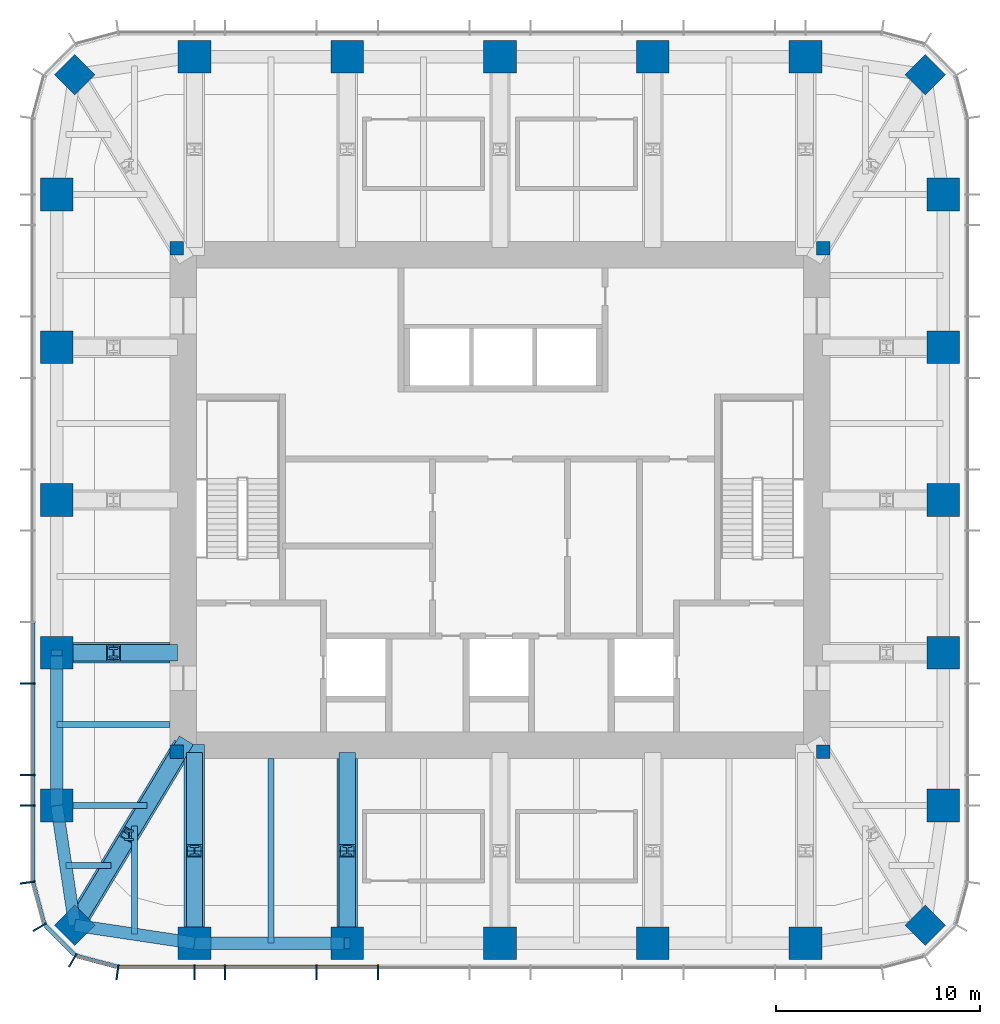
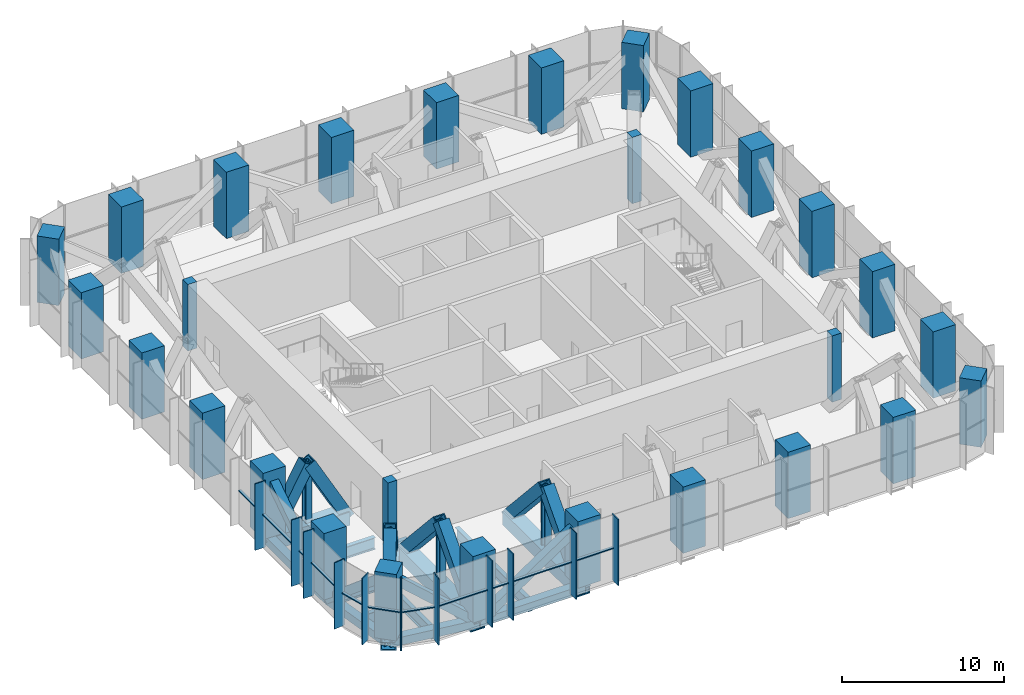
# One storey, part 1 of 9: 46 members, 28 columns, 5 beams, 3 elements without a shape of their own.
"""IFC4 building model written with IfcOpenShell, lengths in metres."""

from ifc_helpers import new_model, si_unit, direction, frame, origin, origin_2d, place, context, subcontext, project, spatial, rectangle, hollow_rectangle, i_section, extrude, material, material_profile, profile_set, type_object, element, aggregate, save


model = new_model("IFC4")

# Units and contexts
model_context = context("Model", 3, precision=1e-05, world=origin(), true_north=direction((0.0, 1.0)))
body_context = subcontext(model_context, "Body", "Model", "MODEL_VIEW")
ifc_project = project(units=[si_unit("LENGTHUNIT", "METRE"), si_unit("AREAUNIT", "SQUARE_METRE"), si_unit("VOLUMEUNIT", "CUBIC_METRE"), si_unit("PLANEANGLEUNIT", "RADIAN"), si_unit("MASSUNIT", "GRAM", prefix="KILO")], contexts=[model_context])

# Site, building, storey
site_placement = place(None, origin())
site = spatial("IfcSite", under=ifc_project, at=site_placement, CompositionType="ELEMENT")
building_placement = place(site_placement, origin())
building = spatial("IfcBuilding", under=site, at=building_placement, Name="Khuree Lantern Residences", CompositionType="ELEMENT")
storey_placement = place(building_placement, frame((0.0, 0.0, 353.25)))
storey = spatial("IfcBuildingStorey", under=building, at=storey_placement, Name="L89", CompositionType="ELEMENT", Elevation=353.25)

# Columns
ifc_material_1 = material(Name="Concrete C70/85", Category="concrete")
ifc_material_profile_1 = material_profile(ifc_material_1, rectangle(XDim=1.39990234375, YDim=1.39990234375, at=origin_2d()), Name="RC 1400X1400")
ifc_profile_set_1 = profile_set([ifc_material_profile_1], Name="Concrete C70/85")
column_type_1 = type_object("IfcColumnType", Name="CC1400 PERIMETER CORNER COLUMN RC 1400X1400", PredefinedType="COLUMN", material=ifc_profile_set_1)
for number, where, z_axis, x_axis, name in (
    (1, (20.8212890625, 20.8212890625, 0.0), (0.0, 0.0, 1.0), (0.707106781187, -0.707106781187, 0.0), "Perimeter column NE"),
    (2, (20.8212890625, -20.8212890625, 0.0), (0.0, 0.0, 1.0), (0.707106781187, 0.707106781187, 0.0), "Perimeter column SE"),
    (3, (-20.8212890625, -20.8212890625, 0.0), (0.0, 0.0, 1.0), (0.707106781187, -0.707106781187, 0.0), "Perimeter column SW"),
    (4, (-20.8212890625, 20.8212890625, 0.0), (0.0, 0.0, 1.0), (0.707106781187, 0.707106781187, 0.0), "Perimeter column NW"),
):
    element("IfcColumn", number, at=place(storey_placement, frame(where, z_axis=z_axis, x_axis=x_axis)), inside=storey, type_object=column_type_1, Name=name, PredefinedType="COLUMN", context=body_context, shape_type="SweptSolid", body=[
        extrude(rectangle(XDim=1.39990234375, YDim=1.39990234375, at=origin_2d()), origin(), (0.0, 0.0, 1.0), 5.0),
    ])
ifc_material_2 = material(Name="Concrete C50/60", Category="concrete")
ifc_material_profile_2 = material_profile(ifc_material_2, rectangle(XDim=0.64990234375, YDim=0.64990234375, at=origin_2d()), Name="RC 650X650")
ifc_profile_set_2 = profile_set([ifc_material_profile_2], Name="Concrete C50/60")
column_type_2 = type_object("IfcColumnType", Name="CP650-C50 CORE CORNER PIER C50 RC 650X650", PredefinedType="COLUMN", material=ifc_profile_set_2)
for number, where, z_axis, x_axis, name in (
    (5, (15.824951171875, 12.324951171875, -0.300048828125), (0.0, 0.0, 1.0), (1.0, 0.0, 0.0), "Core corner pier NE"),
    (6, (-15.824951171875, 12.324951171875, -0.300048828125), (0.0, 0.0, 1.0), (1.0, 0.0, 0.0), "Core corner pier NW"),
    (7, (-15.824951171875, -12.324951171875, -0.300048828125), (0.0, 0.0, 1.0), (1.0, 0.0, 0.0), "Core corner pier SW"),
    (8, (15.824951171875, -12.324951171875, -0.300048828125), (0.0, 0.0, 1.0), (1.0, 0.0, 0.0), "Core corner pier SE"),
):
    element("IfcColumn", number, at=place(storey_placement, frame(where, z_axis=z_axis, x_axis=x_axis)), inside=storey, type_object=column_type_2, Name=name, PredefinedType="COLUMN", context=body_context, shape_type="SweptSolid", body=[
        extrude(rectangle(XDim=0.64990234375, YDim=0.64990234375, at=origin_2d()), origin(), (0.0, 0.0, 1.0), 5.0),
    ])
ifc_material_profile_3 = material_profile(ifc_material_1, rectangle(XDim=1.60009765625, YDim=1.60009765625, at=origin_2d()), Name="RC 1600X1600")
ifc_profile_set_3 = profile_set([ifc_material_profile_3], Name="Concrete C70/85")
column_type_3 = type_object("IfcColumnType", Name="PC5 PERIMETER COLUMN RC 1600X1600", PredefinedType="COLUMN", material=ifc_profile_set_3)
for number, where, z_axis, x_axis, name in (
    (9, (-14.9599609375, 21.699951171875, 0.0), (0.0, 0.0, 1.0), (1.0, 0.0, 0.0), "Perimeter column N1"),
    (10, (-7.47998046875, 21.699951171875, 0.0), (0.0, 0.0, 1.0), (1.0, 0.0, 0.0), "Perimeter column N2"),
    (11, (0.0, 21.699951171875, 0.0), (0.0, 0.0, 1.0), (1.0, 0.0, 0.0), "Perimeter column N3"),
    (12, (7.47998046875, 21.699951171875, 0.0), (0.0, 0.0, 1.0), (1.0, 0.0, 0.0), "Perimeter column N4"),
    (13, (14.9599609375, 21.699951171875, 0.0), (0.0, 0.0, 1.0), (1.0, 0.0, 0.0), "Perimeter column N5"),
    (14, (21.699951171875, 14.9599609375, 0.0), (0.0, 0.0, 1.0), (0.0, 1.0, 0.0), "Perimeter column E1"),
    (15, (21.699951171875, 7.47998046875, 0.0), (0.0, 0.0, 1.0), (0.0, 1.0, 0.0), "Perimeter column E2"),
    (16, (21.699951171875, 0.0, 0.0), (0.0, 0.0, 1.0), (0.0, 1.0, 0.0), "Perimeter column E3"),
    (17, (21.699951171875, -7.47998046875, 0.0), (0.0, 0.0, 1.0), (0.0, 1.0, 0.0), "Perimeter column E4"),
    (18, (21.699951171875, -14.9599609375, 0.0), (0.0, 0.0, 1.0), (0.0, 1.0, 0.0), "Perimeter column E5"),
    (19, (14.9599609375, -21.699951171875, 0.0), (0.0, 0.0, 1.0), (1.0, 0.0, 0.0), "Perimeter column S1"),
    (20, (7.47998046875, -21.699951171875, 0.0), (0.0, 0.0, 1.0), (1.0, 0.0, 0.0), "Perimeter column S2"),
    (21, (0.0, -21.699951171875, 0.0), (0.0, 0.0, 1.0), (1.0, 0.0, 0.0), "Perimeter column S3"),
    (22, (-7.47998046875, -21.699951171875, 0.0), (0.0, 0.0, 1.0), (1.0, 0.0, 0.0), "Perimeter column S4"),
    (23, (-14.9599609375, -21.699951171875, 0.0), (0.0, 0.0, 1.0), (1.0, 0.0, 0.0), "Perimeter column S5"),
    (24, (-21.699951171875, -14.9599609375, 0.0), (0.0, 0.0, 1.0), (0.0, 1.0, 0.0), "Perimeter column W1"),
    (25, (-21.699951171875, -7.47998046875, 0.0), (0.0, 0.0, 1.0), (0.0, 1.0, 0.0), "Perimeter column W2"),
    (26, (-21.699951171875, 0.0, 0.0), (0.0, 0.0, 1.0), (0.0, 1.0, 0.0), "Perimeter column W3"),
    (27, (-21.699951171875, 7.47998046875, 0.0), (0.0, 0.0, 1.0), (0.0, 1.0, 0.0), "Perimeter column W4"),
    (28, (-21.699951171875, 14.9599609375, 0.0), (0.0, 0.0, 1.0), (0.0, 1.0, 0.0), "Perimeter column W5"),
):
    element("IfcColumn", number, at=place(storey_placement, frame(where, z_axis=z_axis, x_axis=x_axis)), inside=storey, type_object=column_type_3, Name=name, PredefinedType="COLUMN", context=body_context, shape_type="SweptSolid", body=[
        extrude(rectangle(XDim=1.60009765625, YDim=1.60009765625, at=origin_2d()), origin(), (0.0, 0.0, 1.0), 5.0),
    ])

# Beams
ifc_material_3 = material(Name="Steel S355", Category="steel")
ifc_material_profile_4 = material_profile(ifc_material_3, i_section(OverallWidth=0.300048828125, OverallDepth=0.889892578125, WebThickness=0.01611328125, FlangeThickness=0.030029296875, FilletRadius=0.030029296875, at=origin_2d()), Name="HE 900 A")
ifc_profile_set_4 = profile_set([ifc_material_profile_4], Name="Steel S355")
beam_type_1 = type_object("IfcBeamType", Name="B-89 SECONDARY BEAM HE 900 A", PredefinedType="BEAM", material=ifc_profile_set_4)
beam_1_placement = place(storey_placement, frame((-11.219970703125, -21.699951171875, -0.7451171875), z_axis=(0.0, 1.0, 0.0), x_axis=(-1.0, 0.0, 0.0)))
element("IfcBeam", 29, at=beam_1_placement, inside=storey, type_object=beam_type_1, Name="Secondary beam S5", PredefinedType="BEAM", context=body_context, shape_type="SweptSolid", body=[
    extrude(i_section(OverallWidth=0.300048828125, OverallDepth=0.889892578125, WebThickness=0.01611328125, FlangeThickness=0.030029296875, FilletRadius=0.030029296875, at=origin_2d()), origin(), (0.0, 0.0, 1.0), 9.050048828125),
])
beam_2_placement = place(storey_placement, frame((-17.890625, -21.2607421875, -0.7451171875), z_axis=(0.0, 1.0, 0.0), x_axis=(-1.0, 0.0, 0.0)))
element("IfcBeam", 30, at=beam_2_placement, inside=storey, type_object=beam_type_1, Name="Secondary beam S6", PredefinedType="BEAM", context=body_context, shape_type="SweptSolid", body=[
    extrude(i_section(OverallWidth=0.300048828125, OverallDepth=0.889892578125, WebThickness=0.01611328125, FlangeThickness=0.030029296875, FilletRadius=0.030029296875, at=origin_2d()), origin(), (0.0, 0.0, 1.0), 5.297607421875),
])
beam_3_placement = place(storey_placement, frame((-21.2607421875, -17.890625, -0.7451171875), z_axis=(1.0, 0.0, 0.0), x_axis=(0.0, 1.0, 0.0)))
element("IfcBeam", 31, at=beam_3_placement, inside=storey, type_object=beam_type_1, Name="Secondary beam W1", PredefinedType="BEAM", context=body_context, shape_type="SweptSolid", body=[
    extrude(i_section(OverallWidth=0.300048828125, OverallDepth=0.889892578125, WebThickness=0.01611328125, FlangeThickness=0.030029296875, FilletRadius=0.030029296875, at=origin_2d()), origin(), (0.0, 0.0, 1.0), 2.207275390625),
])
beam_4_placement = place(storey_placement, frame((-21.699951171875, -11.0, -0.7451171875), z_axis=(1.0, 0.0, 0.0), x_axis=(0.0, 1.0, 0.0)))
element("IfcBeam", 32, at=beam_4_placement, inside=storey, type_object=beam_type_1, Name="Secondary beam W2", PredefinedType="BEAM", context=body_context, shape_type="SweptSolid", body=[
    extrude(i_section(OverallWidth=0.300048828125, OverallDepth=0.889892578125, WebThickness=0.01611328125, FlangeThickness=0.030029296875, FilletRadius=0.030029296875, at=origin_2d()), origin(), (0.0, 0.0, 1.0), 5.550048828125),
])

# Members
ifc_material_profile_5 = material_profile(ifc_material_3, hollow_rectangle(XDim=0.60009765625, YDim=0.60009765625, WallThickness=0.050048828125, at=origin_2d()), Name="WELDED BOX 600X600X50")
ifc_profile_set_5 = profile_set([ifc_material_profile_5], Name="Steel S355")
member_type_1 = type_object("IfcMemberType", Name="BD-89 BELT TRUSS DIAGONAL WELDED BOX 600X600X50", PredefinedType="BRACE", material=ifc_profile_set_5)
member_1_placement = place(storey_placement, frame((-7.47998046875, -21.699951171875, 4.39990234375), z_axis=(-0.831365021271, 0.0, -0.555726732673), x_axis=(0.0, -1.0, 0.0)))
element("IfcMember", 33, at=member_1_placement, inside=storey, type_object=member_type_1, Name="Belt truss diagonal S5", PredefinedType="BRACE", context=body_context, shape_type="SweptSolid", body=[
    extrude(hollow_rectangle(XDim=0.60009765625, YDim=0.60009765625, WallThickness=0.050048828125, at=origin_2d()), origin(), (0.0, 0.0, 1.0), 8.997314453125),
])
for number, where, z_axis, x_axis, name in (
    (34, (-14.9599609375, -21.699951171875, -0.60009765625), (-0.755893293294, 0.113314726865, 0.644814005609), (-0.148251822985, -0.988949643299, 0.0), "Belt truss diagonal S6"),
    (35, (-20.8212890625, -20.8212890625, 4.39990234375), (-0.113314726865, 0.755893293294, -0.644814005609), (-0.988949643299, -0.148251822985, 0.0), "Belt truss diagonal W1"),
):
    element("IfcMember", number, at=place(storey_placement, frame(where, z_axis=z_axis, x_axis=x_axis)), inside=storey, type_object=member_type_1, Name=name, PredefinedType="BRACE", context=body_context, shape_type="SweptSolid", body=[
        extrude(hollow_rectangle(XDim=0.60009765625, YDim=0.60009765625, WallThickness=0.050048828125, at=origin_2d()), origin(), (0.0, 0.0, 1.0), 7.754150390625),
    ])
member_2_placement = place(storey_placement, frame((-21.699951171875, -14.9599609375, -0.60009765625), z_axis=(0.0, 0.831365021271, 0.555726732673), x_axis=(-1.0, 0.0, 0.0)))
element("IfcMember", 36, at=member_2_placement, inside=storey, type_object=member_type_1, Name="Belt truss diagonal W2", PredefinedType="BRACE", context=body_context, shape_type="SweptSolid", body=[
    extrude(hollow_rectangle(XDim=0.60009765625, YDim=0.60009765625, WallThickness=0.050048828125, at=origin_2d()), origin(), (0.0, 0.0, 1.0), 8.997314453125),
])
ifc_material_profile_6 = material_profile(ifc_material_3, hollow_rectangle(XDim=0.60009765625, YDim=0.60009765625, WallThickness=0.050048828125, at=origin_2d()), Name="WELDED BOX 600X600X50")
ifc_profile_set_6 = profile_set([ifc_material_profile_6], Name="Steel S355")
member_type_2 = type_object("IfcMemberType", Name="BT-89 BELT TRUSS CHORD WELDED BOX 600X600X50", PredefinedType="CHORD", material=ifc_profile_set_6)
member_3_placement = place(storey_placement, frame((-7.47998046875, -21.699951171875, -0.60009765625), z_axis=(-1.0, 0.0, 0.0), x_axis=(0.0, -1.0, 0.0)))
element("IfcMember", 37, at=member_3_placement, inside=storey, type_object=member_type_2, Name="Belt truss chord S5", PredefinedType="CHORD", context=body_context, shape_type="SweptSolid", body=[
    extrude(hollow_rectangle(XDim=0.60009765625, YDim=0.60009765625, WallThickness=0.050048828125, at=origin_2d()), origin(), (0.0, 0.0, 1.0), 7.47998046875),
])
for number, where, z_axis, x_axis, name in (
    (38, (-14.9599609375, -21.699951171875, -0.60009765625), (-0.988949643299, 0.148251822985, 0.0), (-0.148251822985, -0.988949643299, 0.0), "Belt truss chord S6"),
    (39, (-20.8212890625, -20.8212890625, -0.60009765625), (-0.148251822985, 0.988949643299, 0.0), (-0.988949643299, -0.148251822985, 0.0), "Belt truss chord W1"),
):
    element("IfcMember", number, at=place(storey_placement, frame(where, z_axis=z_axis, x_axis=x_axis)), inside=storey, type_object=member_type_2, Name=name, PredefinedType="CHORD", context=body_context, shape_type="SweptSolid", body=[
        extrude(hollow_rectangle(XDim=0.60009765625, YDim=0.60009765625, WallThickness=0.050048828125, at=origin_2d()), origin(), (0.0, 0.0, 1.0), 5.9267578125),
    ])
member_4_placement = place(storey_placement, frame((-21.699951171875, -14.9599609375, -0.60009765625), z_axis=(0.0, 1.0, 0.0), x_axis=(-1.0, 0.0, 0.0)))
element("IfcMember", 40, at=member_4_placement, inside=storey, type_object=member_type_2, Name="Belt truss chord W2", PredefinedType="CHORD", context=body_context, shape_type="SweptSolid", body=[
    extrude(hollow_rectangle(XDim=0.60009765625, YDim=0.60009765625, WallThickness=0.050048828125, at=origin_2d()), origin(), (0.0, 0.0, 1.0), 7.47998046875),
])

# Curtain wall, members
ifc_material_4 = material(Name="Bronze anodised aluminium", Category="aluminium")
curtain_wall_type = type_object("IfcCurtainWallType", Name="CW-L LANTERN CROWN CURTAIN WALL", PredefinedType="USERDEFINED", material=ifc_material_4)
curtain_wall_1_placement = place(storey_placement, origin())
curtain_wall_1 = element("IfcCurtainWall", 41, at=curtain_wall_1_placement, inside=storey, type_object=curtain_wall_type, Name="L89 WEST FACE CURTAIN WALL", ObjectType="Lantern curtain wall", PredefinedType="USERDEFINED")
ifc_material_profile_7 = material_profile(ifc_material_4, rectangle(XDim=0.074951171875, YDim=0.75, at=origin_2d()), Name="F4 75X750")
ifc_profile_set_7 = profile_set([ifc_material_profile_7], Name="Bronze anodised aluminium")
member_type_3 = type_object("IfcMemberType", Name="F4 BRONZE FIN MULLION LANTERN 75X750", PredefinedType="MULLION", material=ifc_profile_set_7)
member_5_placement = place(storey_placement, frame((-23.125, -8.97607421875, 0.0), z_axis=(0.0, 0.0, 1.0), x_axis=(0.0, -1.0, 0.0)))
member_5 = element("IfcMember", 42, at=member_5_placement, type_object=member_type_3, Name="L89 WEST FACE FIN MULLION 40", PredefinedType="MULLION", context=body_context, shape_type="SweptSolid", body=[
    extrude(rectangle(XDim=0.074951171875, YDim=0.75, at=origin_2d()), origin(), (0.0, 0.0, 1.0), 5.0),
])
member_6_placement = place(storey_placement, frame((-23.125, -13.464111328125, 0.0), z_axis=(0.0, 0.0, 1.0), x_axis=(0.0, -1.0, 0.0)))
member_6 = element("IfcMember", 43, at=member_6_placement, type_object=member_type_3, Name="L89 WEST FACE FIN MULLION 41", PredefinedType="MULLION", context=body_context, shape_type="SweptSolid", body=[
    extrude(rectangle(XDim=0.074951171875, YDim=0.75, at=origin_2d()), origin(), (0.0, 0.0, 1.0), 5.0),
])
member_7_placement = place(storey_placement, frame((-23.125, -14.9599609375, 0.0), z_axis=(0.0, 0.0, 1.0), x_axis=(0.0, -1.0, 0.0)))
member_7 = element("IfcMember", 44, at=member_7_placement, type_object=member_type_3, Name="L89 WEST FACE FIN MULLION 42", PredefinedType="MULLION", context=body_context, shape_type="SweptSolid", body=[
    extrude(rectangle(XDim=0.074951171875, YDim=0.75, at=origin_2d()), origin(), (0.0, 0.0, 1.0), 5.0),
])

curtain_wall_2_placement = place(storey_placement, origin())
curtain_wall_2 = element("IfcCurtainWall", 45, at=curtain_wall_2_placement, inside=storey, type_object=curtain_wall_type, Name="L89 SOUTH-WEST CORNER CURTAIN WALL", ObjectType="Lantern curtain wall", PredefinedType="USERDEFINED")
member_8_placement = place(storey_placement, frame((-23.12451171875, -18.7294921875, 0.0), z_axis=(0.0, 0.0, 1.0), x_axis=(0.130526125236, -0.991444870192, 0.0)))
member_8 = element("IfcMember", 46, at=member_8_placement, type_object=member_type_3, Name="L89 SOUTH-WEST CORNER FIN MULLION 43", PredefinedType="MULLION", context=body_context, shape_type="SweptSolid", body=[
    extrude(rectangle(XDim=0.074951171875, YDim=0.75, at=origin_2d()), origin(), (0.0, 0.0, 1.0), 5.0),
])
member_9_placement = place(storey_placement, frame((-22.5322265625, -20.91259765625, 0.0), z_axis=(0.0, 0.0, 1.0), x_axis=(0.49999994149, -0.866025437565, 0.0)))
member_9 = element("IfcMember", 47, at=member_9_placement, type_object=member_type_3, Name="L89 SOUTH-WEST CORNER FIN MULLION 44", PredefinedType="MULLION", context=body_context, shape_type="SweptSolid", body=[
    extrude(rectangle(XDim=0.074951171875, YDim=0.75, at=origin_2d()), origin(), (0.0, 0.0, 1.0), 5.0),
])
member_10_placement = place(storey_placement, frame((-20.91259765625, -22.5322265625, 0.0), z_axis=(0.0, 0.0, 1.0), x_axis=(0.866025437565, -0.49999994149, 0.0)))
member_10 = element("IfcMember", 48, at=member_10_placement, type_object=member_type_3, Name="L89 SOUTH-WEST CORNER FIN MULLION 45", PredefinedType="MULLION", context=body_context, shape_type="SweptSolid", body=[
    extrude(rectangle(XDim=0.074951171875, YDim=0.75, at=origin_2d()), origin(), (0.0, 0.0, 1.0), 5.0),
])

curtain_wall_3_placement = place(storey_placement, origin())
curtain_wall_3 = element("IfcCurtainWall", 49, at=curtain_wall_3_placement, inside=storey, type_object=curtain_wall_type, Name="L89 SOUTH FACE CURTAIN WALL", ObjectType="Lantern curtain wall", PredefinedType="USERDEFINED")
member_11_placement = place(storey_placement, frame((-18.7294921875, -23.12451171875, 0.0), z_axis=(0.0, 0.0, 1.0), x_axis=(0.991444870192, -0.130526125236, 0.0)))
member_11 = element("IfcMember", 50, at=member_11_placement, type_object=member_type_3, Name="L89 SOUTH FACE FIN MULLION 46", PredefinedType="MULLION", context=body_context, shape_type="SweptSolid", body=[
    extrude(rectangle(XDim=0.074951171875, YDim=0.75, at=origin_2d()), origin(), (0.0, 0.0, 1.0), 5.0),
])
member_12_placement = place(storey_placement, frame((-14.9599609375, -23.125, 0.0), z_axis=(0.0, 0.0, 1.0), x_axis=(1.0, 0.0, 0.0)))
member_12 = element("IfcMember", 51, at=member_12_placement, type_object=member_type_3, Name="L89 SOUTH FACE FIN MULLION 47", PredefinedType="MULLION", context=body_context, shape_type="SweptSolid", body=[
    extrude(rectangle(XDim=0.074951171875, YDim=0.75, at=origin_2d()), origin(), (0.0, 0.0, 1.0), 5.0),
])
member_13_placement = place(storey_placement, frame((-13.464111328125, -23.125, 0.0), z_axis=(0.0, 0.0, 1.0), x_axis=(1.0, 0.0, 0.0)))
member_13 = element("IfcMember", 52, at=member_13_placement, type_object=member_type_3, Name="L89 SOUTH FACE FIN MULLION 48", PredefinedType="MULLION", context=body_context, shape_type="SweptSolid", body=[
    extrude(rectangle(XDim=0.074951171875, YDim=0.75, at=origin_2d()), origin(), (0.0, 0.0, 1.0), 5.0),
])
member_14_placement = place(storey_placement, frame((-8.97607421875, -23.125, 0.0), z_axis=(0.0, 0.0, 1.0), x_axis=(1.0, 0.0, 0.0)))
member_14 = element("IfcMember", 53, at=member_14_placement, type_object=member_type_3, Name="L89 SOUTH FACE FIN MULLION 49", PredefinedType="MULLION", context=body_context, shape_type="SweptSolid", body=[
    extrude(rectangle(XDim=0.074951171875, YDim=0.75, at=origin_2d()), origin(), (0.0, 0.0, 1.0), 5.0),
])
member_15_placement = place(storey_placement, frame((-5.98388671875, -23.125, 0.0), z_axis=(0.0, 0.0, 1.0), x_axis=(1.0, 0.0, 0.0)))
member_15 = element("IfcMember", 54, at=member_15_placement, type_object=member_type_3, Name="L89 SOUTH FACE FIN MULLION 50", PredefinedType="MULLION", context=body_context, shape_type="SweptSolid", body=[
    extrude(rectangle(XDim=0.074951171875, YDim=0.75, at=origin_2d()), origin(), (0.0, 0.0, 1.0), 5.0),
])

# Beam
ifc_material_profile_8 = material_profile(ifc_material_3, i_section(OverallWidth=0.300048828125, OverallDepth=0.89990234375, WebThickness=0.0185546875, FlangeThickness=0.034912109375, FilletRadius=0.030029296875, at=origin_2d()), Name="HE 900 B")
ifc_profile_set_8 = profile_set([ifc_material_profile_8], Name="Steel S355")
beam_type_2 = type_object("IfcBeamType", Name="G-89 GIRDER HE 900 B", PredefinedType="BEAM", material=ifc_profile_set_8)
beam_5_placement = place(storey_placement, frame((-21.699951171875, -14.9599609375, -0.75), z_axis=(1.0, 0.0, 0.0), x_axis=(0.0, 1.0, 0.0)))
element("IfcBeam", 55, at=beam_5_placement, inside=storey, type_object=beam_type_2, Name="Girder W1", PredefinedType="BEAM", context=body_context, shape_type="SweptSolid", body=[
    extrude(i_section(OverallWidth=0.300048828125, OverallDepth=0.89990234375, WebThickness=0.0185546875, FlangeThickness=0.034912109375, FilletRadius=0.030029296875, at=origin_2d()), origin(), (0.0, 0.0, 1.0), 4.414306640625),
])

# Members
ifc_material_profile_9 = material_profile(ifc_material_3, hollow_rectangle(XDim=0.800048828125, YDim=0.800048828125, WallThickness=0.070068359375, at=origin_2d()), Name="WELDED BOX 800X800X70")
ifc_profile_set_9 = profile_set([ifc_material_profile_9], Name="Steel S355")
member_type_4 = type_object("IfcMemberType", Name="OD-89 OUTRIGGER TRUSS DIAGONAL WELDED BOX 800X800X70", PredefinedType="BRACE", material=ifc_profile_set_9)
for number, where, z_axis, x_axis, name in (
    (56, (-15.5, -12.0, -0.800048828125), (-0.370633716413, -0.614412618894, 0.696511149948), (0.856269347495, -0.516529577604, 0.0), "Outrigger diagonal SW core side"),
    (57, (-18.16064453125, -16.41064453125, 4.199951171875), (-0.370633716413, -0.614412618894, -0.696511149948), (0.856269347495, -0.516529577604, 0.0), "Outrigger diagonal SW column side"),
):
    element("IfcMember", number, at=place(storey_placement, frame(where, z_axis=z_axis, x_axis=x_axis)), inside=storey, type_object=member_type_4, Name=name, PredefinedType="BRACE", context=body_context, shape_type="SweptSolid", body=[
        extrude(hollow_rectangle(XDim=0.800048828125, YDim=0.800048828125, WallThickness=0.070068359375, at=origin_2d()), origin(), (0.0, 0.0, 1.0), 7.1787109375),
    ])
member_16_placement = place(storey_placement, frame((-7.47998046875, -12.64990234375, -0.800048828125), z_axis=(0.0, -0.671022331943, 0.741437138289), x_axis=(1.0, 0.0, 0.0)))
element("IfcMember", 58, at=member_16_placement, inside=storey, type_object=member_type_4, Name="Outrigger diagonal S4 core side", PredefinedType="BRACE", context=body_context, shape_type="SweptSolid", body=[
    extrude(hollow_rectangle(XDim=0.800048828125, YDim=0.800048828125, WallThickness=0.070068359375, at=origin_2d()), origin(), (0.0, 0.0, 1.0), 6.74365234375),
])
member_17_placement = place(storey_placement, frame((-7.47998046875, -17.175048828125, 4.199951171875), z_axis=(0.0, -0.671002429385, -0.7414551502), x_axis=(1.0, 0.0, 0.0)))
element("IfcMember", 59, at=member_17_placement, inside=storey, type_object=member_type_4, Name="Outrigger diagonal S4 column side", PredefinedType="BRACE", context=body_context, shape_type="SweptSolid", body=[
    extrude(hollow_rectangle(XDim=0.800048828125, YDim=0.800048828125, WallThickness=0.070068359375, at=origin_2d()), origin(), (0.0, 0.0, 1.0), 6.743408203125),
])
member_18_placement = place(storey_placement, frame((-14.9599609375, -12.64990234375, -0.800048828125), z_axis=(0.0, -0.671022331943, 0.741437138289), x_axis=(1.0, 0.0, 0.0)))
element("IfcMember", 60, at=member_18_placement, inside=storey, type_object=member_type_4, Name="Outrigger diagonal S5 core side", PredefinedType="BRACE", context=body_context, shape_type="SweptSolid", body=[
    extrude(hollow_rectangle(XDim=0.800048828125, YDim=0.800048828125, WallThickness=0.070068359375, at=origin_2d()), origin(), (0.0, 0.0, 1.0), 6.74365234375),
])
member_19_placement = place(storey_placement, frame((-14.9599609375, -17.175048828125, 4.199951171875), z_axis=(0.0, -0.671002429385, -0.7414551502), x_axis=(1.0, 0.0, 0.0)))
element("IfcMember", 61, at=member_19_placement, inside=storey, type_object=member_type_4, Name="Outrigger diagonal S5 column side", PredefinedType="BRACE", context=body_context, shape_type="SweptSolid", body=[
    extrude(hollow_rectangle(XDim=0.800048828125, YDim=0.800048828125, WallThickness=0.070068359375, at=origin_2d()), origin(), (0.0, 0.0, 1.0), 6.743408203125),
])
for number, where, z_axis, x_axis, name in (
    (62, (-16.14990234375, -7.47998046875, -0.800048828125), (-0.485291278827, 0.0, 0.874352545999), (0.0, -1.0, 0.0), "Outrigger diagonal W2 core side"),
    (63, (-18.925048828125, -7.47998046875, 4.199951171875), (-0.485258639343, 0.0, -0.874370661072), (0.0, -1.0, 0.0), "Outrigger diagonal W2 column side"),
):
    element("IfcMember", number, at=place(storey_placement, frame(where, z_axis=z_axis, x_axis=x_axis)), inside=storey, type_object=member_type_4, Name=name, PredefinedType="BRACE", context=body_context, shape_type="SweptSolid", body=[
        extrude(hollow_rectangle(XDim=0.800048828125, YDim=0.800048828125, WallThickness=0.070068359375, at=origin_2d()), origin(), (0.0, 0.0, 1.0), 5.718505859375),
    ])
ifc_material_profile_10 = material_profile(ifc_material_3, i_section(OverallWidth=0.431884765625, OverallDepth=0.498046875, WebThickness=0.0556640625, FlangeThickness=0.0888671875, FilletRadius=0.014892578125, at=origin_2d()), Name="HD 400X744")
ifc_profile_set_10 = profile_set([ifc_material_profile_10], Name="Steel S355")
member_type_5 = type_object("IfcMemberType", Name="OP-89 OUTRIGGER TRUSS POST HD 400X744", PredefinedType="POST", material=ifc_profile_set_10)
for number, where, z_axis, x_axis, name in (
    (64, (-18.16064453125, -16.41064453125, -0.800048828125), (0.0, 0.0, 1.0), (1.0, 0.0, 0.0), "Outrigger post SW"),
    (65, (-7.47998046875, -17.175048828125, -0.800048828125), (0.0, 0.0, 1.0), (1.0, 0.0, 0.0), "Outrigger post S4"),
    (66, (-14.9599609375, -17.175048828125, -0.800048828125), (0.0, 0.0, 1.0), (1.0, 0.0, 0.0), "Outrigger post S5"),
    (67, (-18.925048828125, -7.47998046875, -0.800048828125), (0.0, 0.0, 1.0), (1.0, 0.0, 0.0), "Outrigger post W2"),
):
    element("IfcMember", number, at=place(storey_placement, frame(where, z_axis=z_axis, x_axis=x_axis)), inside=storey, type_object=member_type_5, Name=name, PredefinedType="POST", context=body_context, shape_type="SweptSolid", body=[
        extrude(i_section(OverallWidth=0.431884765625, OverallDepth=0.498046875, WebThickness=0.0556640625, FlangeThickness=0.0888671875, FilletRadius=0.014892578125, at=origin_2d()), origin(), (0.0, 0.0, 1.0), 5.0),
    ])
ifc_material_profile_11 = material_profile(ifc_material_3, hollow_rectangle(XDim=1.0, YDim=1.0, WallThickness=0.080078125, at=origin_2d()), Name="WELDED BOX 1000X1000X80")
ifc_profile_set_11 = profile_set([ifc_material_profile_11], Name="Steel S355")
member_type_6 = type_object("IfcMemberType", Name="OT-89 OUTRIGGER TRUSS CHORD WELDED BOX 1000X1000X80", PredefinedType="CHORD", material=ifc_profile_set_11)
member_20_placement = place(storey_placement, frame((-7.47998046875, -21.699951171875, -0.800048828125), z_axis=(0.0, 1.0, 0.0), x_axis=(-1.0, 0.0, 0.0)))
element("IfcMember", 68, at=member_20_placement, inside=storey, type_object=member_type_6, Name="Outrigger chord S4", PredefinedType="CHORD", context=body_context, shape_type="SweptSolid", body=[
    extrude(hollow_rectangle(XDim=1.0, YDim=1.0, WallThickness=0.080078125, at=origin_2d()), origin(), (0.0, 0.0, 1.0), 9.050048828125),
])
member_21_placement = place(storey_placement, frame((-14.9599609375, -21.699951171875, -0.800048828125), z_axis=(0.0, 1.0, 0.0), x_axis=(-1.0, 0.0, 0.0)))
element("IfcMember", 69, at=member_21_placement, inside=storey, type_object=member_type_6, Name="Outrigger chord S5", PredefinedType="CHORD", context=body_context, shape_type="SweptSolid", body=[
    extrude(hollow_rectangle(XDim=1.0, YDim=1.0, WallThickness=0.080078125, at=origin_2d()), origin(), (0.0, 0.0, 1.0), 9.723876953125),
])
member_22_placement = place(storey_placement, frame((-21.699951171875, -7.47998046875, -0.800048828125), z_axis=(1.0, 0.0, 0.0), x_axis=(0.0, 1.0, 0.0)))
element("IfcMember", 70, at=member_22_placement, inside=storey, type_object=member_type_6, Name="Outrigger chord W2", PredefinedType="CHORD", context=body_context, shape_type="SweptSolid", body=[
    extrude(hollow_rectangle(XDim=1.0, YDim=1.0, WallThickness=0.080078125, at=origin_2d()), origin(), (0.0, 0.0, 1.0), 5.550048828125),
])
member_23_placement = place(storey_placement, frame((-20.8212890625, -20.8212890625, -0.800048828125), z_axis=(0.516529577604, 0.856269347495, 0.0), x_axis=(-0.856269347495, 0.516529577604, 0.0)))
element("IfcMember", 71, at=member_23_placement, inside=storey, type_object=member_type_6, Name="Outrigger chord SW", PredefinedType="CHORD", context=body_context, shape_type="SweptSolid", body=[
    extrude(hollow_rectangle(XDim=1.0, YDim=1.0, WallThickness=0.080078125, at=origin_2d()), origin(), (0.0, 0.0, 1.0), 10.302001953125),
])

# Member
ifc_material_profile_12 = material_profile(ifc_material_4, rectangle(XDim=0.199951171875, YDim=0.074951171875, at=origin_2d()), Name="T4 200X75")
ifc_profile_set_12 = profile_set([ifc_material_profile_12], Name="Bronze anodised aluminium")
member_type_7 = type_object("IfcMemberType", Name="TRANSOM T4 LANTERN 200X75", PredefinedType="USERDEFINED", material=ifc_profile_set_12)
member_24_placement = place(storey_placement, frame((-22.8701171875, -6.021484375, 2.5), z_axis=(0.0, -1.0, 0.0), x_axis=(1.0, 0.0, 0.0)))
member_24 = element("IfcMember", 72, at=member_24_placement, type_object=member_type_7, Name="L89 WEST FACE TRANSOM 39.1", ObjectType="Transom", PredefinedType="USERDEFINED", context=body_context, shape_type="SweptSolid", body=[
    extrude(rectangle(XDim=0.199951171875, YDim=0.074951171875, at=origin_2d()), origin(), (0.0, 0.0, 1.0), 2.9169921875),
])

member_25_placement = place(storey_placement, frame((-22.8701171875, -9.013427734375, 2.5), z_axis=(0.0, -1.0, 0.0), x_axis=(1.0, 0.0, 0.0)))
member_25 = element("IfcMember", 73, at=member_25_placement, type_object=member_type_7, Name="L89 WEST FACE TRANSOM 40.1", ObjectType="Transom", PredefinedType="USERDEFINED", context=body_context, shape_type="SweptSolid", body=[
    extrude(rectangle(XDim=0.199951171875, YDim=0.074951171875, at=origin_2d()), origin(), (0.0, 0.0, 1.0), 4.4130859375),
])

member_26_placement = place(storey_placement, frame((-22.8701171875, -13.50146484375, 2.5), z_axis=(0.0, -1.0, 0.0), x_axis=(1.0, 0.0, 0.0)))
member_26 = element("IfcMember", 74, at=member_26_placement, type_object=member_type_7, Name="L89 WEST FACE TRANSOM 41.1", ObjectType="Transom", PredefinedType="USERDEFINED", context=body_context, shape_type="SweptSolid", body=[
    extrude(rectangle(XDim=0.199951171875, YDim=0.074951171875, at=origin_2d()), origin(), (0.0, 0.0, 1.0), 1.421142578125),
])

member_27_placement = place(storey_placement, frame((-22.8701171875, -14.99755859375, 2.5), z_axis=(0.0, -1.0, 0.0), x_axis=(1.0, 0.0, 0.0)))
member_27 = element("IfcMember", 75, at=member_27_placement, type_object=member_type_7, Name="L89 WEST FACE TRANSOM 42.1", ObjectType="Transom", PredefinedType="USERDEFINED", context=body_context, shape_type="SweptSolid", body=[
    extrude(rectangle(XDim=0.199951171875, YDim=0.074951171875, at=origin_2d()), origin(), (0.0, 0.0, 1.0), 3.6474609375),
])

aggregate(curtain_wall_1, [member_5, member_6, member_7, member_24, member_25, member_26, member_27])

member_28_placement = place(storey_placement, frame((-22.856689453125, -18.745361328125, 2.5), z_axis=(0.258761937717, -0.965941126358, 0.0), x_axis=(0.965941126358, 0.258761937717, 0.0)))
member_28 = element("IfcMember", 76, at=member_28_placement, type_object=member_type_7, Name="L89 SOUTH-WEST CORNER TRANSOM 43.1", ObjectType="Transom", PredefinedType="USERDEFINED", context=body_context, shape_type="SweptSolid", body=[
    extrude(rectangle(XDim=0.199951171875, YDim=0.074951171875, at=origin_2d()), origin(), (0.0, 0.0, 1.0), 2.04541015625),
])

member_29_placement = place(storey_placement, frame((-22.263916015625, -20.830810546875, 2.5), z_axis=(0.707106781187, -0.707106781187, 0.0), x_axis=(0.707106781187, 0.707106781187, 0.0)))
member_29 = element("IfcMember", 77, at=member_29_placement, type_object=member_type_7, Name="L89 SOUTH-WEST CORNER TRANSOM 44.1", ObjectType="Transom", PredefinedType="USERDEFINED", context=body_context, shape_type="SweptSolid", body=[
    extrude(rectangle(XDim=0.199951171875, YDim=0.074951171875, at=origin_2d()), origin(), (0.0, 0.0, 1.0), 2.026611328125),
])

member_30_placement = place(storey_placement, frame((-20.72119140625, -22.327392578125, 2.5), z_axis=(0.965941126358, -0.258761937717, 0.0), x_axis=(0.258761937717, 0.965941126358, 0.0)))
member_30 = element("IfcMember", 78, at=member_30_placement, type_object=member_type_7, Name="L89 SOUTH-WEST CORNER TRANSOM 45.1", ObjectType="Transom", PredefinedType="USERDEFINED", context=body_context, shape_type="SweptSolid", body=[
    extrude(rectangle(XDim=0.199951171875, YDim=0.074951171875, at=origin_2d()), origin(), (0.0, 0.0, 1.0), 2.04541015625),
])

aggregate(curtain_wall_2, [member_8, member_9, member_10, member_28, member_29, member_30])

member_31_placement = place(storey_placement, frame((-18.64501953125, -22.8701171875, 2.5), z_axis=(1.0, 0.0, 0.0), x_axis=(0.0, 1.0, 0.0)))
member_31 = element("IfcMember", 79, at=member_31_placement, type_object=member_type_7, Name="L89 SOUTH FACE TRANSOM 46.1", ObjectType="Transom", PredefinedType="USERDEFINED", context=body_context, shape_type="SweptSolid", body=[
    extrude(rectangle(XDim=0.199951171875, YDim=0.074951171875, at=origin_2d()), origin(), (0.0, 0.0, 1.0), 3.6474609375),
])

member_32_placement = place(storey_placement, frame((-14.922607421875, -22.8701171875, 2.5), z_axis=(1.0, 0.0, 0.0), x_axis=(0.0, 1.0, 0.0)))
member_32 = element("IfcMember", 80, at=member_32_placement, type_object=member_type_7, Name="L89 SOUTH FACE TRANSOM 47.1", ObjectType="Transom", PredefinedType="USERDEFINED", context=body_context, shape_type="SweptSolid", body=[
    extrude(rectangle(XDim=0.199951171875, YDim=0.074951171875, at=origin_2d()), origin(), (0.0, 0.0, 1.0), 1.421142578125),
])

member_33_placement = place(storey_placement, frame((-13.426513671875, -22.8701171875, 2.5), z_axis=(1.0, 0.0, 0.0), x_axis=(0.0, 1.0, 0.0)))
member_33 = element("IfcMember", 81, at=member_33_placement, type_object=member_type_7, Name="L89 SOUTH FACE TRANSOM 48.1", ObjectType="Transom", PredefinedType="USERDEFINED", context=body_context, shape_type="SweptSolid", body=[
    extrude(rectangle(XDim=0.199951171875, YDim=0.074951171875, at=origin_2d()), origin(), (0.0, 0.0, 1.0), 4.4130859375),
])

member_34_placement = place(storey_placement, frame((-8.9384765625, -22.8701171875, 2.5), z_axis=(1.0, 0.0, 0.0), x_axis=(0.0, 1.0, 0.0)))
member_34 = element("IfcMember", 82, at=member_34_placement, type_object=member_type_7, Name="L89 SOUTH FACE TRANSOM 49.1", ObjectType="Transom", PredefinedType="USERDEFINED", context=body_context, shape_type="SweptSolid", body=[
    extrude(rectangle(XDim=0.199951171875, YDim=0.074951171875, at=origin_2d()), origin(), (0.0, 0.0, 1.0), 2.9169921875),
])

aggregate(curtain_wall_3, [member_11, member_12, member_13, member_14, member_15, member_31, member_32, member_33, member_34])

save(model, "model.ifc")
